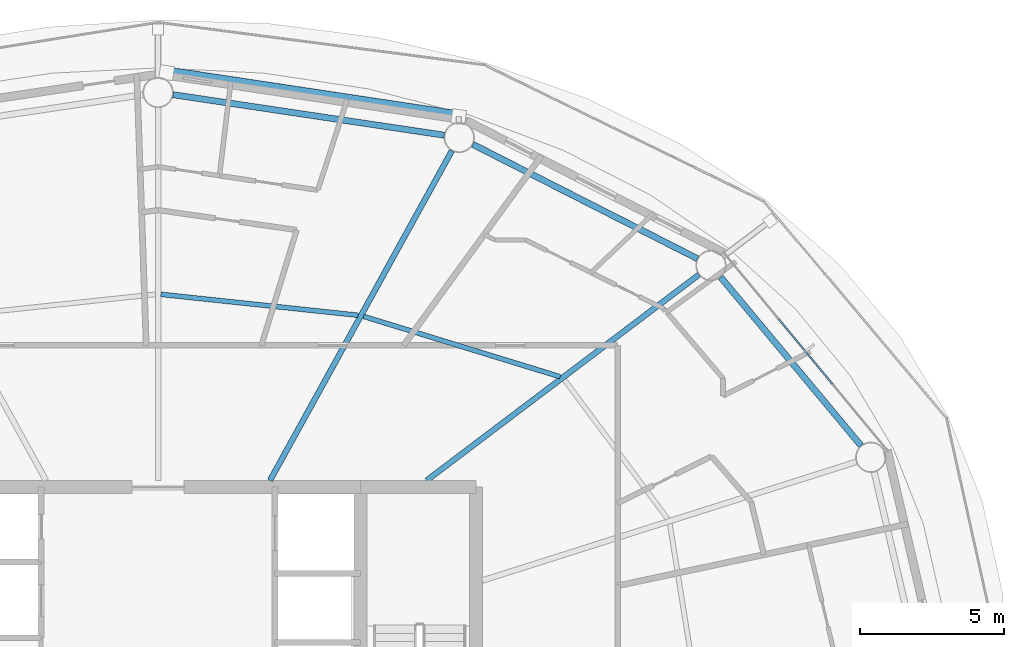
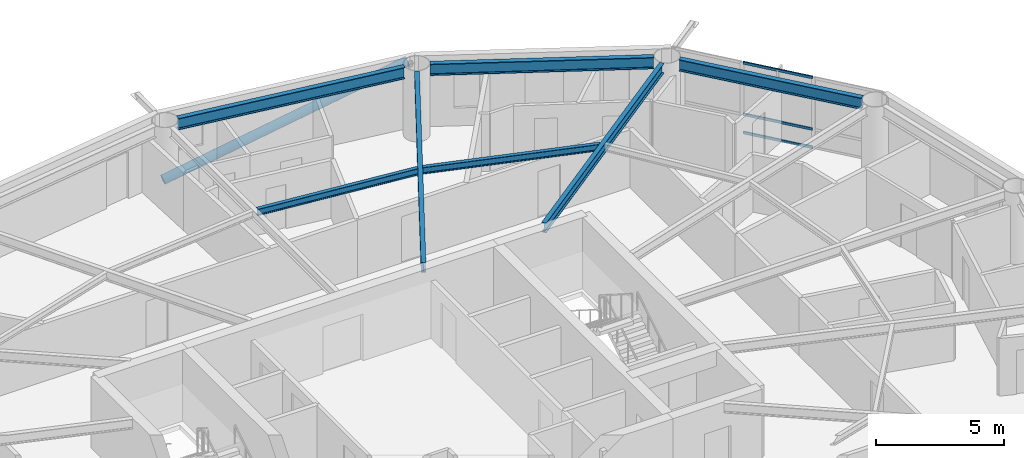
# One storey, part 14 of 29: 7 beams, 4 members, 1 element without a shape of its own.
"""IFC4 building model written with IfcOpenShell, lengths in metres."""

from ifc_helpers import new_model, si_unit, direction, frame, origin, origin_2d, place, context, subcontext, project, spatial, hollow_rectangle, hollow_circle, i_section, extrude, material, layer, layer_set, material_profile, profile_set, type_object, element, aggregate, save


model = new_model("IFC4")

# Units and contexts
model_context = context("Model", 3, precision=1e-05, world=origin(), true_north=direction((0.0, 1.0)))
body_context = subcontext(model_context, "Body", "Model", "MODEL_VIEW")
ifc_project = project(units=[si_unit("LENGTHUNIT", "METRE"), si_unit("AREAUNIT", "SQUARE_METRE"), si_unit("VOLUMEUNIT", "CUBIC_METRE"), si_unit("PLANEANGLEUNIT", "RADIAN"), si_unit("MASSUNIT", "GRAM", prefix="KILO")], contexts=[model_context])

# Site, building, storey
site_placement = place(None, origin())
site = spatial("IfcSite", under=ifc_project, at=site_placement, CompositionType="ELEMENT")
building_placement = place(site_placement, origin())
building = spatial("IfcBuilding", under=site, at=building_placement, Name="Sarneth Arch Tower", CompositionType="ELEMENT")
storey_placement = place(building_placement, frame((0.0, 0.0, 165.0)))
storey = spatial("IfcBuildingStorey", under=building, at=storey_placement, Name="L41", CompositionType="ELEMENT", Elevation=165.0)

# Beams
ifc_material_1 = material(Name="Steel S355", Category="steel")
ifc_material_profile_1 = material_profile(ifc_material_1, i_section(OverallWidth=0.1669921875, OverallDepth=0.31689453125, WebThickness=0.007568359375, FlangeThickness=0.01318359375, FilletRadius=0.012939453125, at=origin_2d()), Name="W310x52")
ifc_profile_set_1 = profile_set([ifc_material_profile_1], Name="Steel S355")
beam_type_1 = type_object("IfcBeamType", Name="BM-JOIST-310B", PredefinedType="JOIST", material=ifc_profile_set_1)
beam_1_placement = place(storey_placement, frame((61.912841796875, 52.61279296875, 3.221435546875), z_axis=(-0.955929549608, 0.293596144707, 0.0), x_axis=(-0.293596144707, -0.955929549608, 0.0)))
element("IfcBeam", 1, at=beam_1_placement, inside=storey, type_object=beam_type_1, Name="L41 Secondary floor joist 03", PredefinedType="JOIST", context=body_context, shape_type="SweptSolid", body=[
    extrude(i_section(OverallWidth=0.1669921875, OverallDepth=0.31689453125, WebThickness=0.007568359375, FlangeThickness=0.01318359375, FilletRadius=0.012939453125, at=origin_2d()), origin(), (0.0, 0.0, 1.0), 7.1123046875),
])
beam_2_placement = place(storey_placement, frame((54.92578125, 54.739501953125, 3.221435546875), z_axis=(-0.994407831942, 0.105608066799, 0.0), x_axis=(-0.105608066799, -0.994407831942, 0.0)))
element("IfcBeam", 2, at=beam_2_placement, inside=storey, type_object=beam_type_1, Name="L41 Secondary floor joist 04", PredefinedType="JOIST", context=body_context, shape_type="SweptSolid", body=[
    extrude(i_section(OverallWidth=0.1669921875, OverallDepth=0.31689453125, WebThickness=0.007568359375, FlangeThickness=0.01318359375, FilletRadius=0.012939453125, at=origin_2d()), origin(), (0.0, 0.0, 1.0), 6.8681640625),
])
ifc_material_2 = material(Name="Steel S355", Category="steel")
ifc_material_profile_2 = material_profile(ifc_material_2, i_section(OverallWidth=0.193115234375, OverallDepth=0.466064453125, WebThickness=0.011474609375, FlangeThickness=0.01904296875, FilletRadius=0.01806640625, at=origin_2d()), Name="W460x97")
ifc_profile_set_2 = profile_set([ifc_material_profile_2], Name="Steel S355")
beam_type_2 = type_object("IfcBeamType", Name="BM-RAD-460C", PredefinedType="BEAM", material=ifc_profile_set_2)
beam_3_placement = place(storey_placement, frame((57.29541015625, 49.02490234375, 3.14697265625), z_axis=(0.797786205076, 0.602940437349, 0.0), x_axis=(-0.602940437349, 0.797786205076, 0.0)))
element("IfcBeam", 3, at=beam_3_placement, inside=storey, type_object=beam_type_2, Name="L41 Radial floor girder 03", PredefinedType="BEAM", context=body_context, shape_type="SweptSolid", body=[
    extrude(i_section(OverallWidth=0.193115234375, OverallDepth=0.466064453125, WebThickness=0.011474609375, FlangeThickness=0.01904296875, FilletRadius=0.01806640625, at=origin_2d()), origin(), (0.0, 0.0, 1.0), 11.806884765625),
])
beam_4_placement = place(storey_placement, frame((51.875, 49.02490234375, 3.14697265625), z_axis=(0.483004525121, 0.87561785541, 0.0), x_axis=(-0.87561785541, 0.483004525121, 0.0)))
element("IfcBeam", 4, at=beam_4_placement, inside=storey, type_object=beam_type_2, Name="L41 Radial floor girder 04", PredefinedType="BEAM", context=body_context, shape_type="SweptSolid", body=[
    extrude(i_section(OverallWidth=0.193115234375, OverallDepth=0.466064453125, WebThickness=0.011474609375, FlangeThickness=0.01904296875, FilletRadius=0.01806640625, at=origin_2d()), origin(), (0.0, 0.0, 1.0), 13.029296875),
])
ifc_material_3 = material(Name="Steel S355", Category="steel")
ifc_material_profile_3 = material_profile(ifc_material_3, i_section(OverallWidth=0.214111328125, OverallDepth=0.549072265625, WebThickness=0.0146484375, FlangeThickness=0.023681640625, FilletRadius=0.01806640625, at=origin_2d()), Name="W530x138")
ifc_profile_set_3 = profile_set([ifc_material_profile_3], Name="Steel S355")
beam_type_3 = type_object("IfcBeamType", Name="BM-RAD-530A", PredefinedType="BEAM", material=ifc_profile_set_3)
beam_5_placement = place(storey_placement, frame((72.326171875, 50.229248046875, 3.10546875), z_axis=(-0.640171737024, 0.768231831621, 0.0), x_axis=(-0.768231831621, -0.640171737024, 0.0)))
element("IfcBeam", 5, at=beam_5_placement, inside=storey, type_object=beam_type_3, Name="L41 Perimeter spandrel beam 02", PredefinedType="BEAM", context=body_context, shape_type="SweptSolid", body=[
    extrude(i_section(OverallWidth=0.214111328125, OverallDepth=0.549072265625, WebThickness=0.0146484375, FlangeThickness=0.023681640625, FilletRadius=0.01806640625, at=origin_2d()), origin(), (0.0, 0.0, 1.0), 7.585693359375),
])
beam_6_placement = place(storey_placement, frame((66.665771484375, 56.698486328125, 3.10546875), z_axis=(-0.891254220899, 0.453504039374, 0.0), x_axis=(-0.453504039374, -0.891254220899, 0.0)))
element("IfcBeam", 6, at=beam_6_placement, inside=storey, type_object=beam_type_3, Name="L41 Perimeter spandrel beam 03", PredefinedType="BEAM", context=body_context, shape_type="SweptSolid", body=[
    extrude(i_section(OverallWidth=0.214111328125, OverallDepth=0.549072265625, WebThickness=0.0146484375, FlangeThickness=0.023681640625, FilletRadius=0.01806640625, at=origin_2d()), origin(), (0.0, 0.0, 1.0), 8.724853515625),
])
beam_7_placement = place(storey_placement, frame((57.902587890625, 60.970947265625, 3.10546875), z_axis=(-0.989027145133, 0.14773390332, 0.0), x_axis=(-0.14773390332, -0.989027145133, 0.0)))
element("IfcBeam", 7, at=beam_7_placement, inside=storey, type_object=beam_type_3, Name="L41 Perimeter spandrel beam 04", PredefinedType="BEAM", context=body_context, shape_type="SweptSolid", body=[
    extrude(i_section(OverallWidth=0.214111328125, OverallDepth=0.549072265625, WebThickness=0.0146484375, FlangeThickness=0.023681640625, FilletRadius=0.01806640625, at=origin_2d()), origin(), (0.0, 0.0, 1.0), 9.4873046875),
])

# Curtain wall, members
ifc_material_4 = material(Name="Anodised aluminium Type AA25 and solar-control low-e laminated IGU", Category="aluminium")
ifc_layer = layer(ifc_material_4, 0.169921875)
ifc_layer_set = layer_set([ifc_layer], Name="Anodised aluminium Type AA25 and solar-control low-e laminated IGU")
curtain_wall_type = type_object("IfcCurtainWallType", Name="CW-RES-MID", PredefinedType="NOTDEFINED", material=ifc_layer_set)
curtain_wall_placement = place(storey_placement, origin())
curtain_wall = element("IfcCurtainWall", 8, at=curtain_wall_placement, inside=storey, type_object=curtain_wall_type, Name="L41 Unitised curtain wall facet 02", PredefinedType="NOTDEFINED")
ifc_material_5 = material(Name="Anodised Aluminium 6063-T6", Category="aluminium")
ifc_material_profile_4 = material_profile(ifc_material_5, hollow_rectangle(XDim=0.06005859375, YDim=0.1201171875, WallThickness=0.00390625, at=origin_2d()), Name="AL-TRAN-120x60x4")
ifc_profile_set_4 = profile_set([ifc_material_profile_4], Name="Anodised Aluminium 6063-T6")
member_type_1 = type_object("IfcMemberType", Name="CW-TRANSOM", PredefinedType="USERDEFINED", material=ifc_profile_set_4)
member_1_placement = place(storey_placement, frame((71.327880859375, 52.36962890625, 0.030029296875), z_axis=(-0.637329777791, 0.770591171985, 0.0), x_axis=(-0.770591171985, -0.637329777791, 0.0)))
member_1 = element("IfcMember", 9, at=member_1_placement, type_object=member_type_1, Name="CW-SYS-5 transom 2.1", ObjectType="TRANSOM", PredefinedType="USERDEFINED", context=body_context, shape_type="SweptSolid", body=[
    extrude(hollow_rectangle(XDim=0.06005859375, YDim=0.1201171875, WallThickness=0.00390625, at=origin_2d()), origin(), (0.0, 0.0, 1.0), 2.898193359375),
])
member_2_placement = place(storey_placement, frame((71.327880859375, 52.36962890625, 0.89990234375), z_axis=(-0.637329777791, 0.770591171985, 0.0), x_axis=(-0.770591171985, -0.637329777791, 0.0)))
member_2 = element("IfcMember", 10, at=member_2_placement, type_object=member_type_1, Name="CW-SYS-5 transom 2.2", ObjectType="TRANSOM", PredefinedType="USERDEFINED", context=body_context, shape_type="SweptSolid", body=[
    extrude(hollow_rectangle(XDim=0.06005859375, YDim=0.1201171875, WallThickness=0.00390625, at=origin_2d()), origin(), (0.0, 0.0, 1.0), 2.898193359375),
])
member_3_placement = place(storey_placement, frame((71.327880859375, 52.36962890625, 3.35009765625), z_axis=(-0.637329777791, 0.770591171985, 0.0), x_axis=(-0.770591171985, -0.637329777791, 0.0)))
member_3 = element("IfcMember", 11, at=member_3_placement, type_object=member_type_1, Name="CW-SYS-5 transom 2.3", ObjectType="TRANSOM", PredefinedType="USERDEFINED", context=body_context, shape_type="SweptSolid", body=[
    extrude(hollow_rectangle(XDim=0.06005859375, YDim=0.1201171875, WallThickness=0.00390625, at=origin_2d()), origin(), (0.0, 0.0, 1.0), 2.898193359375),
])
aggregate(curtain_wall, [member_1, member_2, member_3])

# Member
ifc_material_6 = material(Name="Steel S355", Category="steel")
ifc_material_profile_5 = material_profile(ifc_material_6, hollow_circle(Radius=0.202880859375, WallThickness=0.01611328125, at=origin_2d()), Name="CHS406x16")
ifc_profile_set_5 = profile_set([ifc_material_profile_5], Name="Steel S355")
member_type_2 = type_object("IfcMemberType", Name="MEM-DIAG-BR2", PredefinedType="BRACE", material=ifc_profile_set_5)
member_4_placement = place(storey_placement, frame((48.296630859375, 63.13525390625, 0.02001953125), z_axis=(0.948052912183, -0.142822782379, 0.284248708942), x_axis=(0.148967610144, 0.988842075929, 0.0)))
element("IfcMember", 12, at=member_4_placement, inside=storey, type_object=member_type_2, Name="L41 Perimeter frame diagonal 04", PredefinedType="BRACE", context=body_context, shape_type="SweptSolid", body=[
    extrude(hollow_circle(Radius=0.202880859375, WallThickness=0.01611328125, at=origin_2d()), origin(), (0.0, 0.0, 1.0), 10.66162109375),
])

save(model, "model.ifc")
